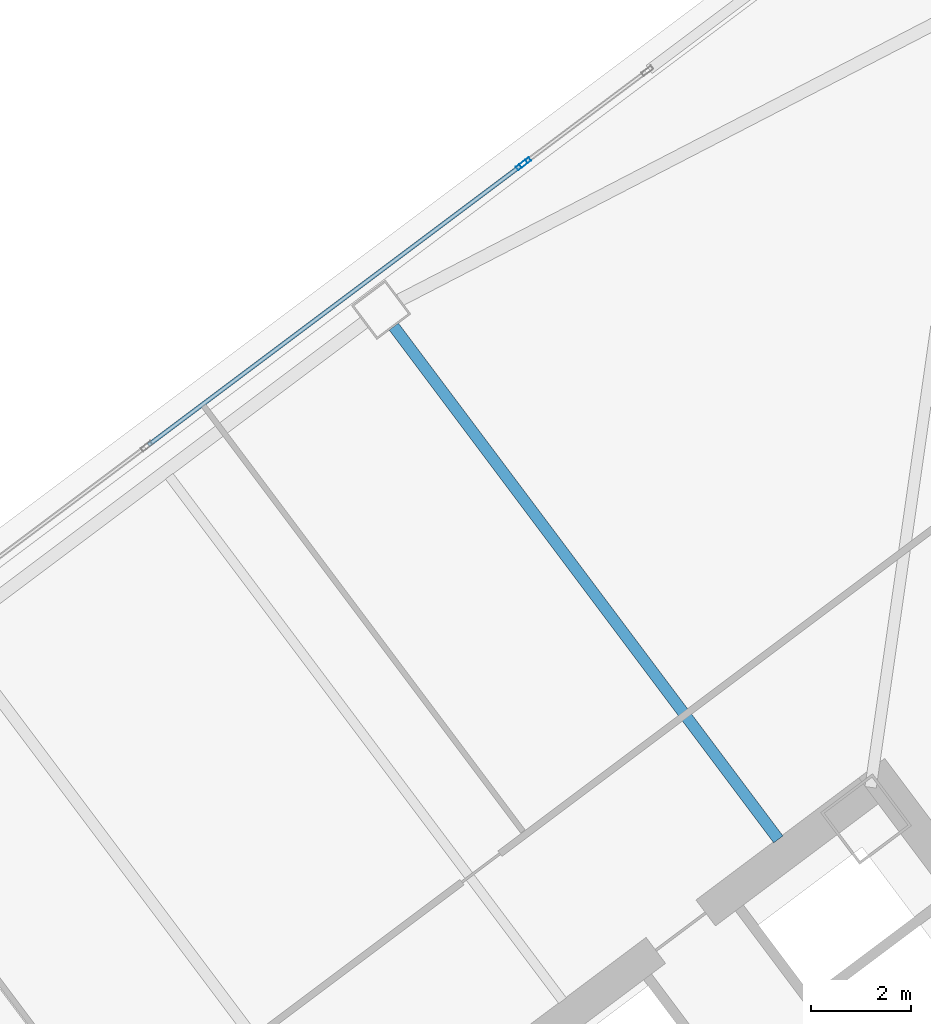
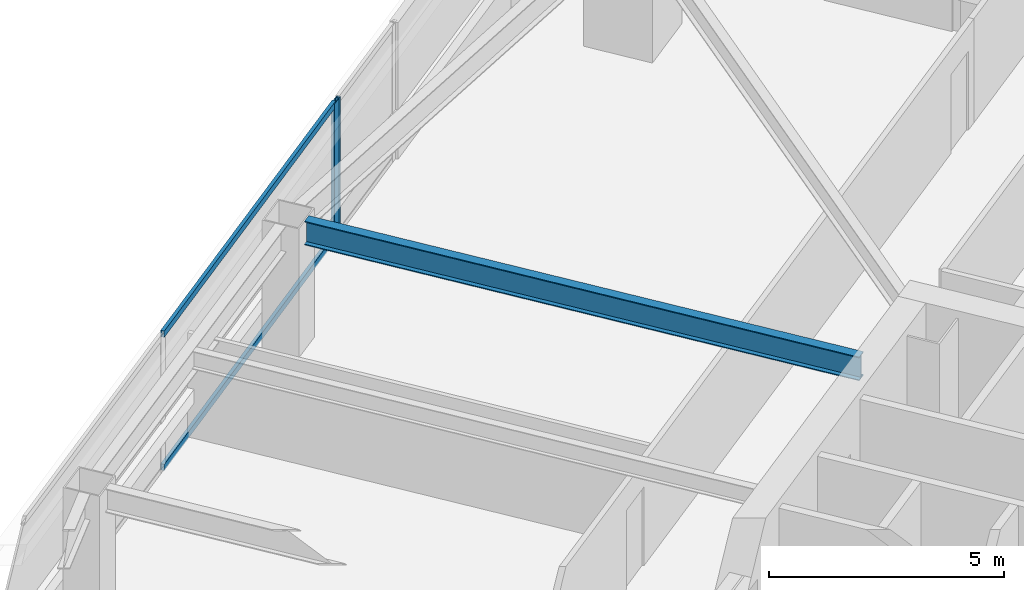
# One storey, part 30 of 46: 4 members, 1 beam, 2 elements without a shape of their own.
"""IFC4 building model written with IfcOpenShell, lengths in metres."""

from ifc_helpers import new_model, si_unit, direction, frame, origin, origin_2d, place, context, subcontext, project, spatial, hollow_rectangle, i_section, extrude, material, material_profile, profile_set, type_object, element, aggregate, save


model = new_model("IFC4")

# Units and contexts
model_context = context("Model", 3, precision=1e-05, world=origin(), true_north=direction((0.0, 1.0)))
body_context = subcontext(model_context, "Body", "Model", "MODEL_VIEW")
ifc_project = project(units=[si_unit("LENGTHUNIT", "METRE"), si_unit("AREAUNIT", "SQUARE_METRE"), si_unit("VOLUMEUNIT", "CUBIC_METRE"), si_unit("PLANEANGLEUNIT", "RADIAN"), si_unit("MASSUNIT", "GRAM", prefix="KILO")], contexts=[model_context])

# Site, building, storey
site_placement = place(None, origin())
site = spatial("IfcSite", under=ifc_project, at=site_placement, CompositionType="ELEMENT")
building_placement = place(site_placement, origin())
building = spatial("IfcBuilding", under=site, at=building_placement, Name="Tashvorn Skyway Center", CompositionType="ELEMENT")
storey_placement = place(building_placement, frame((0.0, 0.0, 60.10009765625)))
storey = spatial("IfcBuildingStorey", under=building, at=storey_placement, Name="L15", CompositionType="ELEMENT", Elevation=60.10009765625)

# Beam
ifc_material_1 = material(Name="Steel ASTM A992 Grade 50", Category="steel")
ifc_material_profile_1 = material_profile(ifc_material_1, i_section(OverallWidth=0.22998046875, OverallDepth=0.616943359375, WebThickness=0.01318359375, FlangeThickness=0.022216796875, at=origin_2d()), Name="W24X94")
ifc_profile_set_1 = profile_set([ifc_material_profile_1], Name="Steel ASTM A992 Grade 50")
beam_type = type_object("IfcBeamType", Name="BM-BEAM-W24X94", PredefinedType="BEAM", material=ifc_profile_set_1)
beam_placement = place(storey_placement, frame((105.94189453125, 51.743896484375, 3.04150390625), z_axis=(0.600018239213, -0.799986320265, 0.0), x_axis=(0.799986320265, 0.600018239213, 0.0)))
element("IfcBeam", 1, at=beam_placement, inside=storey, type_object=beam_type, Name="Tower 2 L15 Primary Floor Girder FC-N1", PredefinedType="BEAM", context=body_context, shape_type="SweptSolid", body=[
    extrude(i_section(OverallWidth=0.22998046875, OverallDepth=0.616943359375, WebThickness=0.01318359375, FlangeThickness=0.022216796875, at=origin_2d()), origin(), (0.0, 0.0, 1.0), 12.849853515625),
])

# Curtain wall, member
ifc_material_2 = material(Name="Thermally broken bronze-anodized aluminium 6063-T6", Category="aluminium")
curtain_wall_type = type_object("IfcCurtainWallType", Name="CW-CW-Z1", PredefinedType="NOTDEFINED", material=ifc_material_2)
curtain_wall_1_placement = place(storey_placement, origin())
curtain_wall_1 = element("IfcCurtainWall", 2, at=curtain_wall_1_placement, inside=storey, type_object=curtain_wall_type, Name="Tower 2 L15 North Unitised Curtain Wall Glazing Group 2", PredefinedType="NOTDEFINED")
ifc_material_profile_2 = material_profile(ifc_material_2, hollow_rectangle(XDim=0.0849609375, YDim=0.239990234375, WallThickness=0.0048828125, at=origin_2d()), Name="ALU-MULL-85x240")
ifc_profile_set_2 = profile_set([ifc_material_profile_2], Name="Thermally broken bronze-anodized aluminium 6063-T6")
member_type_1 = type_object("IfcMemberType", Name="CWM-CW-Z1", PredefinedType="MULLION", material=ifc_profile_set_2)
member_1_placement = place(storey_placement, frame((108.510009765625, 54.982421875, 0.0), z_axis=(0.0, 0.0, 1.0), x_axis=(-0.600000000002, 0.799999999998, 0.0)))
member_1 = element("IfcMember", 3, at=member_1_placement, type_object=member_type_1, Name="CW-Z1 mullion 3", PredefinedType="MULLION", context=body_context, shape_type="SweptSolid", body=[
    extrude(hollow_rectangle(XDim=0.0849609375, YDim=0.239990234375, WallThickness=0.0048828125, at=origin_2d()), origin(), (0.0, 0.0, 1.0), 3.5498046875),
])

curtain_wall_2_placement = place(storey_placement, origin())
curtain_wall_2 = element("IfcCurtainWall", 4, at=curtain_wall_2_placement, inside=storey, type_object=curtain_wall_type, Name="Tower 2 L15 North Unitised Curtain Wall Glazing Group 3", PredefinedType="NOTDEFINED")
member_2_placement = place(storey_placement, frame((108.577880859375, 55.033447265625, 0.0), z_axis=(0.0, 0.0, 1.0), x_axis=(-0.600005084776, 0.799996186392, 0.0)))
member_2 = element("IfcMember", 5, at=member_2_placement, type_object=member_type_1, Name="CW-Z1 mullion 1", PredefinedType="MULLION", context=body_context, shape_type="SweptSolid", body=[
    extrude(hollow_rectangle(XDim=0.0849609375, YDim=0.239990234375, WallThickness=0.0048828125, at=origin_2d()), origin(), (0.0, 0.0, 1.0), 3.5498046875),
])
aggregate(curtain_wall_2, [member_2])

# Member
ifc_material_profile_3 = material_profile(ifc_material_2, hollow_rectangle(XDim=0.0849609375, YDim=0.1650390625, WallThickness=0.0048828125, at=origin_2d()), Name="ALU-TRAN-85x165")
ifc_profile_set_3 = profile_set([ifc_material_profile_3], Name="Thermally broken bronze-anodized aluminium 6063-T6")
member_type_2 = type_object("IfcMemberType", Name="CWT-CW-Z1", PredefinedType="USERDEFINED", material=ifc_profile_set_3)
member_3_placement = place(storey_placement, frame((101.02587890625, 49.369384765625, 0.04248046875), z_axis=(0.8, 0.6, 0.0), x_axis=(-0.6, 0.8, 0.0)))
member_3 = element("IfcMember", 6, at=member_3_placement, type_object=member_type_2, Name="CW-Z1 transom 2.1", ObjectType="TRANSOM", PredefinedType="USERDEFINED", context=body_context, shape_type="SweptSolid", body=[
    extrude(hollow_rectangle(XDim=0.0849609375, YDim=0.1650390625, WallThickness=0.0048828125, at=origin_2d()), origin(), (0.0, 0.0, 1.0), 9.312744140625),
])

member_4_placement = place(storey_placement, frame((101.02587890625, 49.369384765625, 3.50732421875), z_axis=(0.8, 0.6, 0.0), x_axis=(-0.6, 0.8, 0.0)))
member_4 = element("IfcMember", 7, at=member_4_placement, type_object=member_type_2, Name="CW-Z1 transom 2.2", ObjectType="TRANSOM", PredefinedType="USERDEFINED", context=body_context, shape_type="SweptSolid", body=[
    extrude(hollow_rectangle(XDim=0.0849609375, YDim=0.1650390625, WallThickness=0.0048828125, at=origin_2d()), origin(), (0.0, 0.0, 1.0), 9.312744140625),
])

aggregate(curtain_wall_1, [member_1, member_3, member_4])

save(model, "model.ifc")
